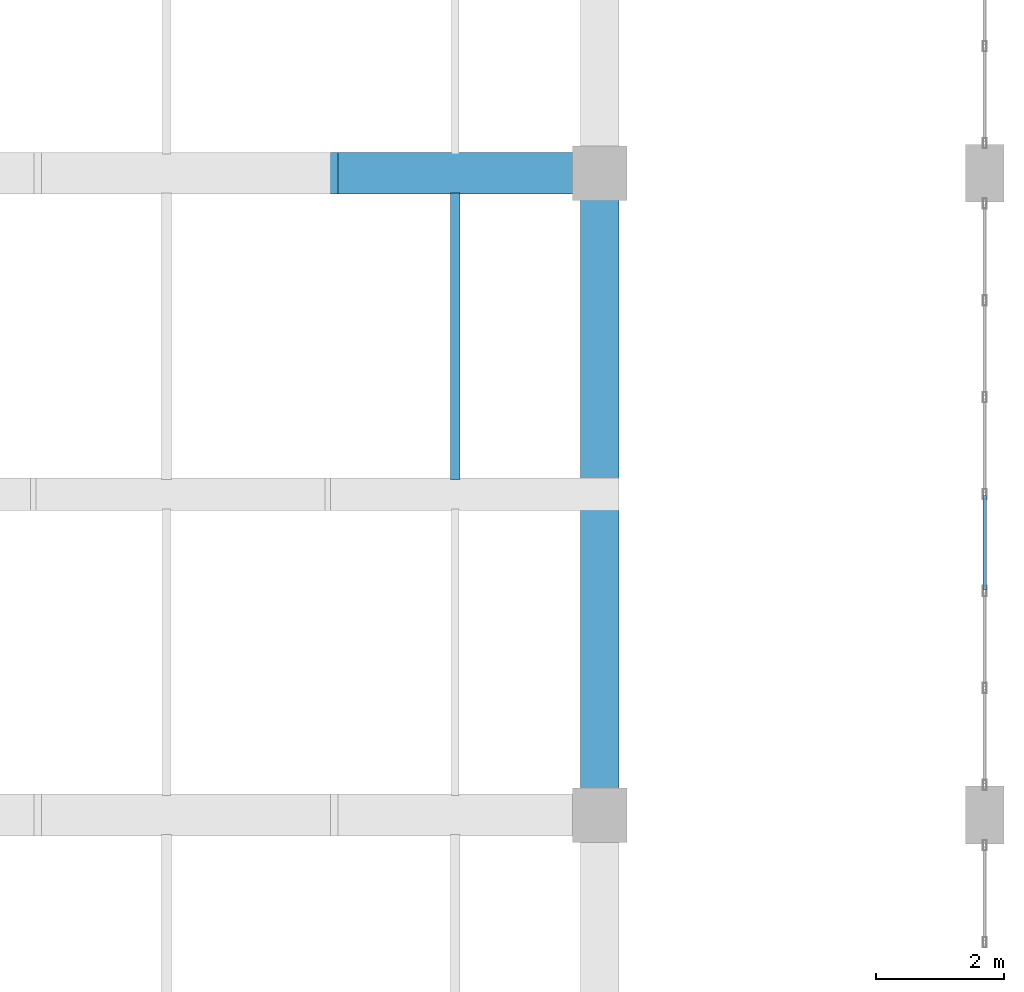
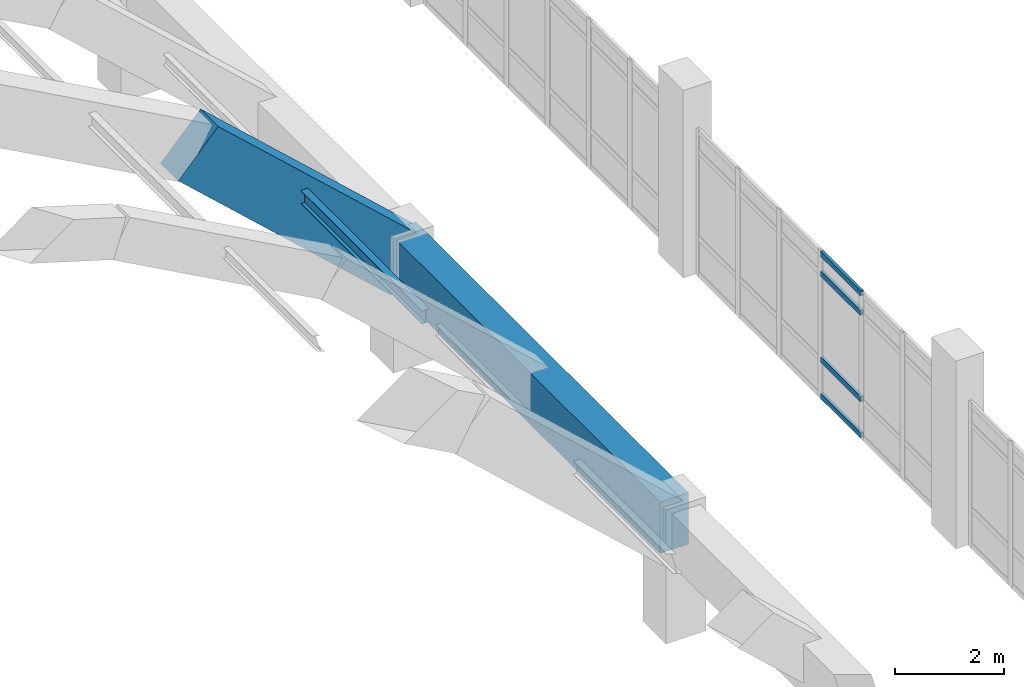
# One storey, part 74 of 111: 5 members, 2 beams, 1 element without a shape of its own.
"""IFC4 building model written with IfcOpenShell, lengths in metres."""

from ifc_helpers import new_model, si_unit, direction, frame, origin, origin_2d, place, context, subcontext, project, spatial, rectangle, hollow_rectangle, i_section, extrude, material, layer, layer_set, material_profile, profile_set, type_object, element, aggregate, save


model = new_model("IFC4")

# Units and contexts
model_context = context("Model", 3, precision=1e-05, world=origin(), true_north=direction((0.0, 1.0)))
body_context = subcontext(model_context, "Body", "Model", "MODEL_VIEW")
ifc_project = project(units=[si_unit("LENGTHUNIT", "METRE"), si_unit("AREAUNIT", "SQUARE_METRE"), si_unit("VOLUMEUNIT", "CUBIC_METRE"), si_unit("PLANEANGLEUNIT", "RADIAN"), si_unit("MASSUNIT", "GRAM", prefix="KILO")], contexts=[model_context])

# Site, building, storey
site_placement = place(None, origin())
site = spatial("IfcSite", under=ifc_project, at=site_placement, CompositionType="ELEMENT")
building_placement = place(site_placement, origin())
building = spatial("IfcBuilding", under=site, at=building_placement, Name="Mersad Railyard Sports Hall", CompositionType="ELEMENT")
storey_placement = place(building_placement, frame((0.0, 0.0, 9.0)))
storey = spatial("IfcBuildingStorey", under=building, at=storey_placement, Name="L02", CompositionType="ELEMENT", Elevation=9.0)

# Curtain wall, members
ifc_material_1 = material(Name="Aluminium 6063-T6", Category="aluminium")
ifc_layer = layer(ifc_material_1, 0.159912109375)
ifc_layer_set = layer_set([ifc_layer], Name="Aluminium 6063-T6")
curtain_wall_type = type_object("IfcCurtainWallType", Name="ARC-CW-CW17", PredefinedType="USERDEFINED", material=ifc_layer_set)
curtain_wall_placement = place(storey_placement, origin())
curtain_wall = element("IfcCurtainWall", 1, at=curtain_wall_placement, inside=storey, type_object=curtain_wall_type, Name="Curtain wall CW17-0049", ObjectType="CURTAIN WALL", PredefinedType="USERDEFINED")
ifc_material_profile_1 = material_profile(ifc_material_1, hollow_rectangle(XDim=0.06005859375, YDim=0.1201171875, WallThickness=0.00390625, at=origin_2d()), Name="AL TRANSOM 60x120x4")
ifc_profile_set_1 = profile_set([ifc_material_profile_1], Name="Aluminium 6063-T6")
member_type_1 = type_object("IfcMemberType", Name="ARC-CW-TRN01", PredefinedType="USERDEFINED", material=ifc_profile_set_1)
member_1_placement = place(storey_placement, frame((179.0, 28.47998046875, 0.0400390625), z_axis=(0.0, -1.0, 0.0), x_axis=(1.0, 0.0, 0.0)))
member_1 = element("IfcMember", 2, at=member_1_placement, type_object=member_type_1, Name="CW17 Transom 1-4", ObjectType="TRANSOM", PredefinedType="USERDEFINED", context=body_context, shape_type="SweptSolid", body=[
    extrude(hollow_rectangle(XDim=0.06005859375, YDim=0.1201171875, WallThickness=0.00390625, at=origin_2d()), origin(), (0.0, 0.0, 1.0), 1.469970703125),
])
member_2_placement = place(storey_placement, frame((179.0, 28.47998046875, 0.85009765625), z_axis=(0.0, -1.0, 0.0), x_axis=(1.0, 0.0, 0.0)))
member_2 = element("IfcMember", 3, at=member_2_placement, type_object=member_type_1, Name="CW17 Transom 2-4", ObjectType="TRANSOM", PredefinedType="USERDEFINED", context=body_context, shape_type="SweptSolid", body=[
    extrude(hollow_rectangle(XDim=0.06005859375, YDim=0.1201171875, WallThickness=0.00390625, at=origin_2d()), origin(), (0.0, 0.0, 1.0), 1.469970703125),
])
member_3_placement = place(storey_placement, frame((179.0, 28.47998046875, 2.780029296875), z_axis=(0.0, -1.0, 0.0), x_axis=(1.0, 0.0, 0.0)))
member_3 = element("IfcMember", 4, at=member_3_placement, type_object=member_type_1, Name="CW17 Transom 3-4", ObjectType="TRANSOM", PredefinedType="USERDEFINED", context=body_context, shape_type="SweptSolid", body=[
    extrude(hollow_rectangle(XDim=0.06005859375, YDim=0.1201171875, WallThickness=0.00390625, at=origin_2d()), origin(), (0.0, 0.0, 1.0), 1.469970703125),
])
member_4_placement = place(storey_placement, frame((179.0, 28.47998046875, 3.219970703125), z_axis=(0.0, -1.0, 0.0), x_axis=(1.0, 0.0, 0.0)))
member_4 = element("IfcMember", 5, at=member_4_placement, type_object=member_type_1, Name="CW17 Transom 4-4", ObjectType="TRANSOM", PredefinedType="USERDEFINED", context=body_context, shape_type="SweptSolid", body=[
    extrude(hollow_rectangle(XDim=0.06005859375, YDim=0.1201171875, WallThickness=0.00390625, at=origin_2d()), origin(), (0.0, 0.0, 1.0), 1.469970703125),
])
aggregate(curtain_wall, [member_1, member_2, member_3, member_4])

# Beams
ifc_material_2 = material(Name="Concrete C50/60", Category="concrete")
ifc_material_profile_2 = material_profile(ifc_material_2, rectangle(XDim=0.60009765625, YDim=1.14990234375, at=origin_2d()), Name="RC 600x1150")
ifc_profile_set_2 = profile_set([ifc_material_profile_2], Name="Concrete C50/60")
beam_type_1 = type_object("IfcBeamType", Name="STR-BM-B05", PredefinedType="BEAM", material=ifc_profile_set_2)
beam_1_placement = place(storey_placement, frame((173.0, 23.5, 2.300048828125), z_axis=(0.0, 1.0, 0.0), x_axis=(-1.0, 0.0, 0.0)))
element("IfcBeam", 6, at=beam_1_placement, inside=storey, type_object=beam_type_1, Name="Beam B05-0710", PredefinedType="BEAM", context=body_context, shape_type="SweptSolid", body=[
    extrude(rectangle(XDim=0.60009765625, YDim=1.14990234375, at=origin_2d()), origin(), (0.0, 0.0, 1.0), 10.0),
])
ifc_material_3 = material(Name="Architectural concrete C50/60", Category="concrete")
ifc_material_profile_3 = material_profile(ifc_material_3, rectangle(XDim=0.64990234375, YDim=1.25, at=origin_2d()), Name="VR 650x1250")
ifc_profile_set_3 = profile_set([ifc_material_profile_3], Name="Architectural concrete C50/60")
beam_type_2 = type_object("IfcBeamType", Name="STR-BM-VR01", PredefinedType="BEAM", material=ifc_profile_set_3)
beam_2_placement = place(storey_placement, frame((168.5, 33.5, 6.2822265625), z_axis=(0.736556702909, 0.0, -0.676375800425), x_axis=(0.0, 1.0, 0.0)))
element("IfcBeam", 7, at=beam_2_placement, inside=storey, type_object=beam_type_2, Name="Beam VR01-0776", PredefinedType="BEAM", context=body_context, shape_type="SweptSolid", body=[
    extrude(rectangle(XDim=0.64990234375, YDim=1.25, at=origin_2d()), origin(), (0.0, 0.0, 1.0), 6.109619140625),
])

# Member
ifc_material_4 = material(Name="Steel S355", Category="steel")
ifc_material_profile_4 = material_profile(ifc_material_4, i_section(OverallWidth=0.14990234375, OverallDepth=0.300048828125, WebThickness=0.007080078125, FlangeThickness=0.0107421875, at=origin_2d()), Name="IPE 300")
ifc_profile_set_4 = profile_set([ifc_material_profile_4], Name="Steel S355")
member_type_2 = type_object("IfcMemberType", Name="STR-MEM-PU02", PredefinedType="PURLIN", material=ifc_profile_set_4)
member_5_placement = place(storey_placement, frame((170.75, 28.72998046875, 4.546142578125), z_axis=(0.0, 1.0, 0.0), x_axis=(-1.0, 0.0, 0.0)))
element("IfcMember", 8, at=member_5_placement, inside=storey, type_object=member_type_2, Name="Structural member PU02-0145", PredefinedType="PURLIN", context=body_context, shape_type="SweptSolid", body=[
    extrude(i_section(OverallWidth=0.14990234375, OverallDepth=0.300048828125, WebThickness=0.007080078125, FlangeThickness=0.0107421875, at=origin_2d()), origin(), (0.0, 0.0, 1.0), 4.465087890625),
])

save(model, "model.ifc")
